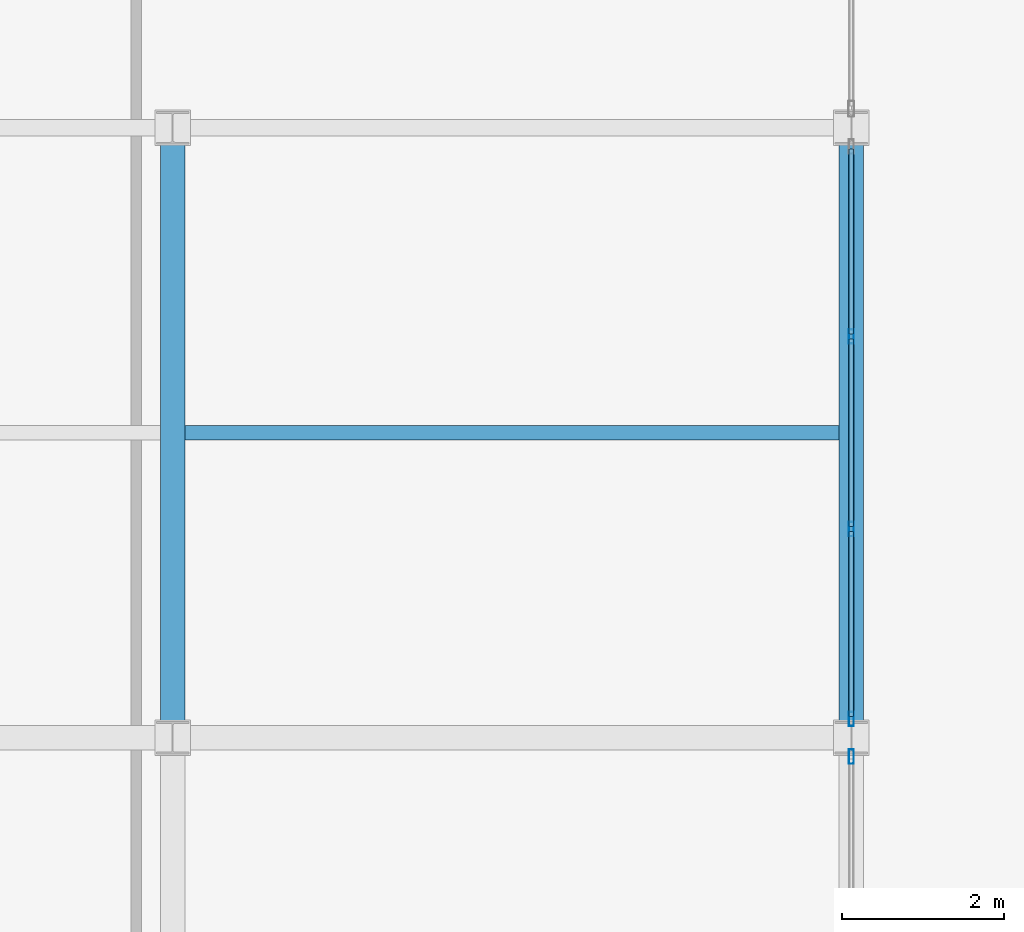
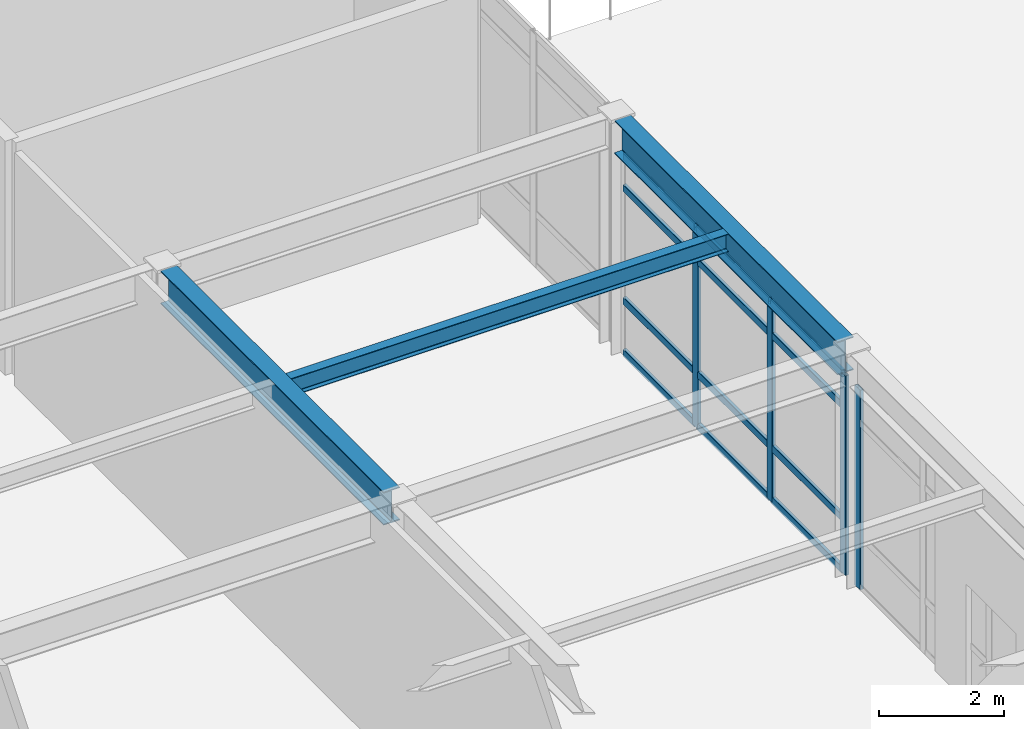
# One storey, part 11 of 61: 16 members, 3 beams, 2 elements without a shape of their own.
"""IFC4 building model written with IfcOpenShell, lengths in metres."""

from ifc_helpers import new_model, si_unit, direction, frame, origin, origin_2d, place, context, subcontext, project, spatial, hollow_rectangle, i_section, extrude, material, layer, layer_set, material_profile, profile_set, type_object, element, aggregate, save


model = new_model("IFC4")

# Units and contexts
model_context = context("Model", 3, precision=1e-05, world=origin(), true_north=direction((0.0, 1.0)))
body_context = subcontext(model_context, "Body", "Model", "MODEL_VIEW")
ifc_project = project(units=[si_unit("LENGTHUNIT", "METRE"), si_unit("AREAUNIT", "SQUARE_METRE"), si_unit("VOLUMEUNIT", "CUBIC_METRE"), si_unit("PLANEANGLEUNIT", "RADIAN"), si_unit("MASSUNIT", "GRAM", prefix="KILO")], contexts=[model_context])

# Site, building, storey
site_placement = place(None, origin())
site = spatial("IfcSite", under=ifc_project, at=site_placement, CompositionType="ELEMENT")
building_placement = place(site_placement, origin())
building = spatial("IfcBuilding", under=site, at=building_placement, Name="Kazehara Bluff Congress Hotel", CompositionType="ELEMENT")
storey_placement = place(building_placement, frame((0.0, 0.0, 19.800048828125)))
storey = spatial("IfcBuildingStorey", under=building, at=storey_placement, Name="L04", CompositionType="ELEMENT", Elevation=19.800048828125)

# Curtain wall, member
ifc_material_1 = material(Name="Anodised aluminium", Category="aluminium")
ifc_layer_1 = layer(ifc_material_1, 0.159912109375)
ifc_layer_set_1 = layer_set([ifc_layer_1], Name="Anodised aluminium")
curtain_wall_type_1 = type_object("IfcCurtainWallType", Name="TP-CW-64", PredefinedType="NOTDEFINED", material=ifc_layer_set_1)
curtain_wall_1_placement = place(storey_placement, origin())
curtain_wall_1 = element("IfcCurtainWall", 1, at=curtain_wall_1_placement, inside=storey, type_object=curtain_wall_type_1, Name="L04 curtain wall CW-64 CW-V4-L04-X8445-3220", PredefinedType="NOTDEFINED")
ifc_material_2 = material(Name="Anodised aluminium", Category="aluminium")
ifc_material_profile_1 = material_profile(ifc_material_2, hollow_rectangle(XDim=0.06494140625, YDim=0.179931640625, WallThickness=0.00390625, InnerFilletRadius=0.00390625, OuterFilletRadius=0.008056640625, at=origin_2d()))
ifc_profile_set_1 = profile_set([ifc_material_profile_1], Name="Anodised aluminium")
member_type_1 = type_object("IfcMemberType", Name="TP-CWM-02", PredefinedType="MULLION", material=ifc_profile_set_1)
member_1_placement = place(storey_placement, frame((84.449951171875, 40.66748046875, 0.0), z_axis=(0.0, 0.0, 1.0), x_axis=(-1.0, 0.0, 0.0)))
member_1 = element("IfcMember", 2, at=member_1_placement, type_object=member_type_1, Name="CW-64 mullion 5", PredefinedType="MULLION", context=body_context, shape_type="SweptSolid", body=[
    extrude(hollow_rectangle(XDim=0.06494140625, YDim=0.179931640625, WallThickness=0.00390625, InnerFilletRadius=0.00390625, OuterFilletRadius=0.008056640625, at=origin_2d()), origin(), (0.0, 0.0, 1.0), 3.905029296875),
])
aggregate(curtain_wall_1, [member_1])

# Curtain wall, members
ifc_material_3 = material(Name="Anodised aluminium", Category="aluminium")
ifc_layer_2 = layer(ifc_material_3, 0.159912109375)
ifc_layer_set_2 = layer_set([ifc_layer_2], Name="Anodised aluminium")
curtain_wall_type_2 = type_object("IfcCurtainWallType", Name="TP-CW-65", PredefinedType="NOTDEFINED", material=ifc_layer_set_2)
curtain_wall_2_placement = place(storey_placement, origin())
curtain_wall_2 = element("IfcCurtainWall", 3, at=curtain_wall_2_placement, inside=storey, type_object=curtain_wall_type_2, Name="L04 curtain wall CW-65 CW-V4-L04-X8445-4110", PredefinedType="NOTDEFINED")
member_2_placement = place(storey_placement, frame((84.449951171875, 41.132568359375, 0.0), z_axis=(0.0, 0.0, 1.0), x_axis=(-1.0, 0.0, 0.0)))
member_2 = element("IfcMember", 4, at=member_2_placement, type_object=member_type_1, Name="CW-65 mullion 1", PredefinedType="MULLION", context=body_context, shape_type="SweptSolid", body=[
    extrude(hollow_rectangle(XDim=0.06494140625, YDim=0.179931640625, WallThickness=0.00390625, InnerFilletRadius=0.00390625, OuterFilletRadius=0.008056640625, at=origin_2d()), origin(), (0.0, 0.0, 1.0), 3.905029296875),
])
member_3_placement = place(storey_placement, frame((84.449951171875, 43.4833984375, 0.0), z_axis=(0.0, 0.0, 1.0), x_axis=(-1.0, 0.0, 0.0)))
member_3 = element("IfcMember", 5, at=member_3_placement, type_object=member_type_1, Name="CW-65 mullion 2", PredefinedType="MULLION", context=body_context, shape_type="SweptSolid", body=[
    extrude(hollow_rectangle(XDim=0.06494140625, YDim=0.179931640625, WallThickness=0.00390625, InnerFilletRadius=0.00390625, OuterFilletRadius=0.008056640625, at=origin_2d()), origin(), (0.0, 0.0, 1.0), 3.905029296875),
])
member_4_placement = place(storey_placement, frame((84.449951171875, 45.86669921875, 0.0), z_axis=(0.0, 0.0, 1.0), x_axis=(-1.0, 0.0, 0.0)))
member_4 = element("IfcMember", 6, at=member_4_placement, type_object=member_type_1, Name="CW-65 mullion 3", PredefinedType="MULLION", context=body_context, shape_type="SweptSolid", body=[
    extrude(hollow_rectangle(XDim=0.06494140625, YDim=0.179931640625, WallThickness=0.00390625, InnerFilletRadius=0.00390625, OuterFilletRadius=0.008056640625, at=origin_2d()), origin(), (0.0, 0.0, 1.0), 3.905029296875),
])
ifc_material_4 = material(Name="Anodised aluminium", Category="aluminium")
ifc_material_profile_2 = material_profile(ifc_material_4, hollow_rectangle(XDim=0.06494140625, YDim=0.139892578125, WallThickness=0.00390625, InnerFilletRadius=0.00390625, OuterFilletRadius=0.008056640625, at=origin_2d()))
ifc_profile_set_2 = profile_set([ifc_material_profile_2], Name="Anodised aluminium")
member_type_2 = type_object("IfcMemberType", Name="TP-CWT-02", PredefinedType="USERDEFINED", material=ifc_profile_set_2)
member_5_placement = place(storey_placement, frame((84.449951171875, 41.1650390625, 0.032470703125), z_axis=(0.0, 1.0, 0.0), x_axis=(-1.0, 0.0, 0.0)))
member_5 = element("IfcMember", 7, at=member_5_placement, type_object=member_type_2, Name="CW-65 transom 1.1", ObjectType="TRANSOM", PredefinedType="USERDEFINED", context=body_context, shape_type="SweptSolid", body=[
    extrude(hollow_rectangle(XDim=0.06494140625, YDim=0.139892578125, WallThickness=0.00390625, InnerFilletRadius=0.00390625, OuterFilletRadius=0.008056640625, at=origin_2d()), origin(), (0.0, 0.0, 1.0), 2.285888671875),
])
member_6_placement = place(storey_placement, frame((84.449951171875, 41.1650390625, 1.050048828125), z_axis=(0.0, 1.0, 0.0), x_axis=(-1.0, 0.0, 0.0)))
member_6 = element("IfcMember", 8, at=member_6_placement, type_object=member_type_2, Name="CW-65 transom 1.2", ObjectType="TRANSOM", PredefinedType="USERDEFINED", context=body_context, shape_type="SweptSolid", body=[
    extrude(hollow_rectangle(XDim=0.06494140625, YDim=0.139892578125, WallThickness=0.00390625, InnerFilletRadius=0.00390625, OuterFilletRadius=0.008056640625, at=origin_2d()), origin(), (0.0, 0.0, 1.0), 2.285888671875),
])
member_7_placement = place(storey_placement, frame((84.449951171875, 41.1650390625, 3.2548828125), z_axis=(0.0, 1.0, 0.0), x_axis=(-1.0, 0.0, 0.0)))
member_7 = element("IfcMember", 9, at=member_7_placement, type_object=member_type_2, Name="CW-65 transom 1.3", ObjectType="TRANSOM", PredefinedType="USERDEFINED", context=body_context, shape_type="SweptSolid", body=[
    extrude(hollow_rectangle(XDim=0.06494140625, YDim=0.139892578125, WallThickness=0.00390625, InnerFilletRadius=0.00390625, OuterFilletRadius=0.008056640625, at=origin_2d()), origin(), (0.0, 0.0, 1.0), 2.285888671875),
])
member_8_placement = place(storey_placement, frame((84.449951171875, 41.1650390625, 3.87255859375), z_axis=(0.0, 1.0, 0.0), x_axis=(-1.0, 0.0, 0.0)))
member_8 = element("IfcMember", 10, at=member_8_placement, type_object=member_type_2, Name="CW-65 transom 1.4", ObjectType="TRANSOM", PredefinedType="USERDEFINED", context=body_context, shape_type="SweptSolid", body=[
    extrude(hollow_rectangle(XDim=0.06494140625, YDim=0.139892578125, WallThickness=0.00390625, InnerFilletRadius=0.00390625, OuterFilletRadius=0.008056640625, at=origin_2d()), origin(), (0.0, 0.0, 1.0), 2.285888671875),
])
member_9_placement = place(storey_placement, frame((84.449951171875, 43.515869140625, 0.032470703125), z_axis=(0.0, 1.0, 0.0), x_axis=(-1.0, 0.0, 0.0)))
member_9 = element("IfcMember", 11, at=member_9_placement, type_object=member_type_2, Name="CW-65 transom 2.1", ObjectType="TRANSOM", PredefinedType="USERDEFINED", context=body_context, shape_type="SweptSolid", body=[
    extrude(hollow_rectangle(XDim=0.06494140625, YDim=0.139892578125, WallThickness=0.00390625, InnerFilletRadius=0.00390625, OuterFilletRadius=0.008056640625, at=origin_2d()), origin(), (0.0, 0.0, 1.0), 2.318359375),
])
member_10_placement = place(storey_placement, frame((84.449951171875, 43.515869140625, 1.050048828125), z_axis=(0.0, 1.0, 0.0), x_axis=(-1.0, 0.0, 0.0)))
member_10 = element("IfcMember", 12, at=member_10_placement, type_object=member_type_2, Name="CW-65 transom 2.2", ObjectType="TRANSOM", PredefinedType="USERDEFINED", context=body_context, shape_type="SweptSolid", body=[
    extrude(hollow_rectangle(XDim=0.06494140625, YDim=0.139892578125, WallThickness=0.00390625, InnerFilletRadius=0.00390625, OuterFilletRadius=0.008056640625, at=origin_2d()), origin(), (0.0, 0.0, 1.0), 2.318359375),
])
member_11_placement = place(storey_placement, frame((84.449951171875, 43.515869140625, 3.2548828125), z_axis=(0.0, 1.0, 0.0), x_axis=(-1.0, 0.0, 0.0)))
member_11 = element("IfcMember", 13, at=member_11_placement, type_object=member_type_2, Name="CW-65 transom 2.3", ObjectType="TRANSOM", PredefinedType="USERDEFINED", context=body_context, shape_type="SweptSolid", body=[
    extrude(hollow_rectangle(XDim=0.06494140625, YDim=0.139892578125, WallThickness=0.00390625, InnerFilletRadius=0.00390625, OuterFilletRadius=0.008056640625, at=origin_2d()), origin(), (0.0, 0.0, 1.0), 2.318359375),
])
member_12_placement = place(storey_placement, frame((84.449951171875, 43.515869140625, 3.87255859375), z_axis=(0.0, 1.0, 0.0), x_axis=(-1.0, 0.0, 0.0)))
member_12 = element("IfcMember", 14, at=member_12_placement, type_object=member_type_2, Name="CW-65 transom 2.4", ObjectType="TRANSOM", PredefinedType="USERDEFINED", context=body_context, shape_type="SweptSolid", body=[
    extrude(hollow_rectangle(XDim=0.06494140625, YDim=0.139892578125, WallThickness=0.00390625, InnerFilletRadius=0.00390625, OuterFilletRadius=0.008056640625, at=origin_2d()), origin(), (0.0, 0.0, 1.0), 2.318359375),
])
member_13_placement = place(storey_placement, frame((84.449951171875, 45.899169921875, 0.032470703125), z_axis=(0.0, 1.0, 0.0), x_axis=(-1.0, 0.0, 0.0)))
member_13 = element("IfcMember", 15, at=member_13_placement, type_object=member_type_2, Name="CW-65 transom 3.1", ObjectType="TRANSOM", PredefinedType="USERDEFINED", context=body_context, shape_type="SweptSolid", body=[
    extrude(hollow_rectangle(XDim=0.06494140625, YDim=0.139892578125, WallThickness=0.00390625, InnerFilletRadius=0.00390625, OuterFilletRadius=0.008056640625, at=origin_2d()), origin(), (0.0, 0.0, 1.0), 2.285888671875),
])
member_14_placement = place(storey_placement, frame((84.449951171875, 45.899169921875, 1.050048828125), z_axis=(0.0, 1.0, 0.0), x_axis=(-1.0, 0.0, 0.0)))
member_14 = element("IfcMember", 16, at=member_14_placement, type_object=member_type_2, Name="CW-65 transom 3.2", ObjectType="TRANSOM", PredefinedType="USERDEFINED", context=body_context, shape_type="SweptSolid", body=[
    extrude(hollow_rectangle(XDim=0.06494140625, YDim=0.139892578125, WallThickness=0.00390625, InnerFilletRadius=0.00390625, OuterFilletRadius=0.008056640625, at=origin_2d()), origin(), (0.0, 0.0, 1.0), 2.285888671875),
])
member_15_placement = place(storey_placement, frame((84.449951171875, 45.899169921875, 3.2548828125), z_axis=(0.0, 1.0, 0.0), x_axis=(-1.0, 0.0, 0.0)))
member_15 = element("IfcMember", 17, at=member_15_placement, type_object=member_type_2, Name="CW-65 transom 3.3", ObjectType="TRANSOM", PredefinedType="USERDEFINED", context=body_context, shape_type="SweptSolid", body=[
    extrude(hollow_rectangle(XDim=0.06494140625, YDim=0.139892578125, WallThickness=0.00390625, InnerFilletRadius=0.00390625, OuterFilletRadius=0.008056640625, at=origin_2d()), origin(), (0.0, 0.0, 1.0), 2.285888671875),
])
member_16_placement = place(storey_placement, frame((84.449951171875, 45.899169921875, 3.87255859375), z_axis=(0.0, 1.0, 0.0), x_axis=(-1.0, 0.0, 0.0)))
member_16 = element("IfcMember", 18, at=member_16_placement, type_object=member_type_2, Name="CW-65 transom 3.4", ObjectType="TRANSOM", PredefinedType="USERDEFINED", context=body_context, shape_type="SweptSolid", body=[
    extrude(hollow_rectangle(XDim=0.06494140625, YDim=0.139892578125, WallThickness=0.00390625, InnerFilletRadius=0.00390625, OuterFilletRadius=0.008056640625, at=origin_2d()), origin(), (0.0, 0.0, 1.0), 2.285888671875),
])
aggregate(curtain_wall_2, [member_2, member_3, member_4, member_5, member_6, member_7, member_8, member_9, member_10, member_11, member_12, member_13, member_14, member_15, member_16])

# Beams
ifc_material_5 = material(Name="Steel SN490B", Category="steel")
ifc_material_profile_3 = material_profile(ifc_material_5, i_section(OverallWidth=0.300048828125, OverallDepth=0.64990234375, WebThickness=0.011962890625, FlangeThickness=0.02001953125, FilletRadius=0.012939453125, at=origin_2d()))
ifc_profile_set_3 = profile_set([ifc_material_profile_3], Name="Steel SN490B")
beam_type_1 = type_object("IfcBeamType", Name="TP-G-03", PredefinedType="BEAM", material=ifc_profile_set_3)
for number, where, z_axis, x_axis, name in (
    (19, (76.050048828125, 41.10009765625, 4.2548828125), (0.0, 1.0, 0.0), (-1.0, 0.0, 0.0), "L04 girder G-03 12"),
    (20, (84.449951171875, 41.10009765625, 4.2548828125), (0.0, 1.0, 0.0), (-1.0, 0.0, 0.0), "L04 girder G-03 16"),
):
    element("IfcBeam", number, at=place(storey_placement, frame(where, z_axis=z_axis, x_axis=x_axis)), inside=storey, type_object=beam_type_1, Name=name, PredefinedType="BEAM", context=body_context, shape_type="SweptSolid", body=[
        extrude(i_section(OverallWidth=0.300048828125, OverallDepth=0.64990234375, WebThickness=0.011962890625, FlangeThickness=0.02001953125, FilletRadius=0.012939453125, at=origin_2d()), origin(), (0.0, 0.0, 1.0), 7.14990234375),
    ])
ifc_material_6 = material(Name="Steel SN400B", Category="steel")
ifc_material_profile_4 = material_profile(ifc_material_6, i_section(OverallWidth=0.175048828125, OverallDepth=0.35009765625, WebThickness=0.007080078125, FlangeThickness=0.010986328125, FilletRadius=0.012939453125, at=origin_2d()))
ifc_profile_set_4 = profile_set([ifc_material_profile_4], Name="Steel SN400B")
beam_type_2 = type_object("IfcBeamType", Name="TP-J-02", PredefinedType="JOIST", material=ifc_profile_set_4)
beam_placement = place(storey_placement, frame((76.199951171875, 44.675048828125, 4.405029296875), z_axis=(1.0, 0.0, 0.0), x_axis=(0.0, 1.0, 0.0)))
element("IfcBeam", 21, at=beam_placement, inside=storey, type_object=beam_type_2, Name="L04 secondary joist J-02 10", PredefinedType="JOIST", context=body_context, shape_type="SweptSolid", body=[
    extrude(i_section(OverallWidth=0.175048828125, OverallDepth=0.35009765625, WebThickness=0.007080078125, FlangeThickness=0.010986328125, FilletRadius=0.012939453125, at=origin_2d()), origin(), (0.0, 0.0, 1.0), 8.10009765625),
])

save(model, "model.ifc")
